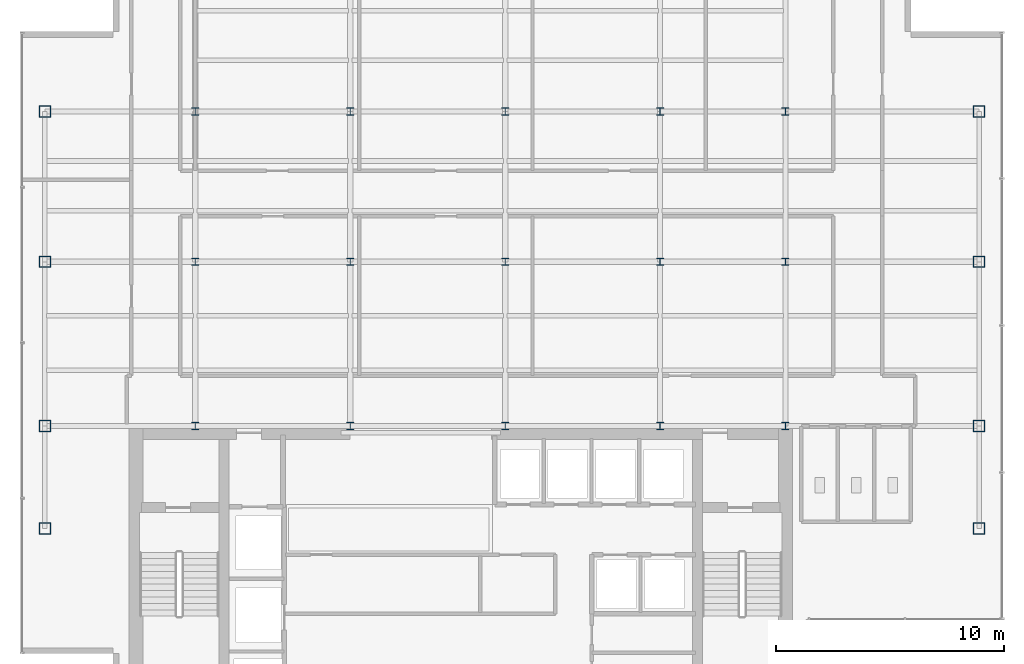
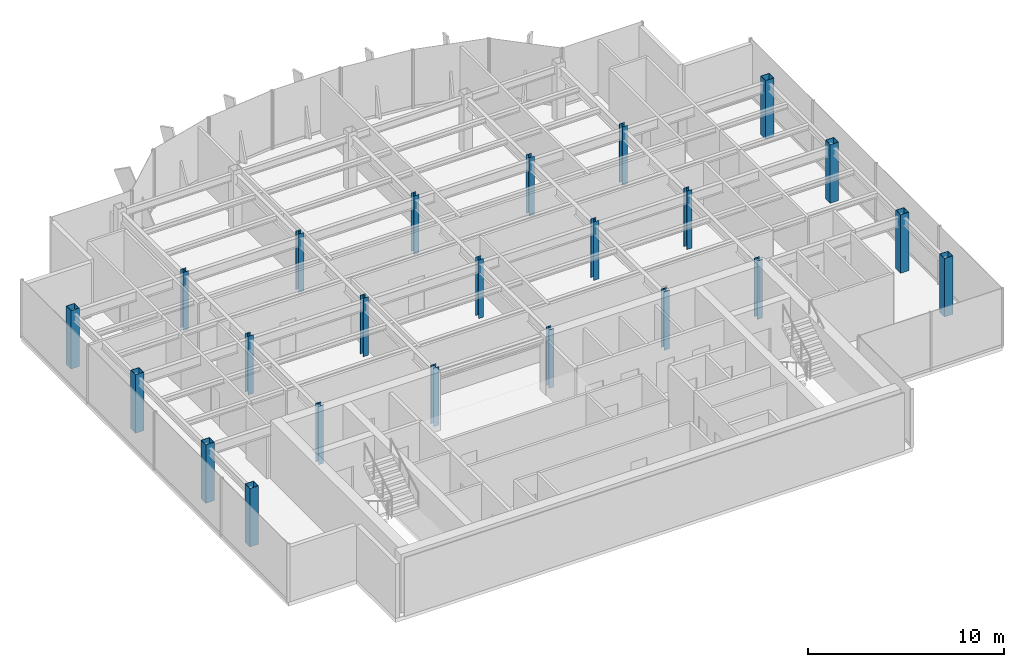
# One storey, part 1 of 22: 23 columns.
"""IFC4 building model written with IfcOpenShell, lengths in metres."""

from ifc_helpers import new_model, si_unit, derived_unit, direction, frame, origin, origin_2d, place, context, subcontext, project, spatial, hollow_rectangle, i_section, extrude, source, transform, mapped, material, material_profile, profile_set, type_object, element, save


model = new_model("IFC4")

# Units and contexts
model_context = context("Model", 3, precision=1e-05, world=origin(), true_north=direction((0.0, 1.0)))
body_context = subcontext(model_context, "Body", "Model", "MODEL_VIEW")
ifc_project = project(units=[si_unit("LENGTHUNIT", "METRE"), si_unit("AREAUNIT", "SQUARE_METRE"), si_unit("VOLUMEUNIT", "CUBIC_METRE"), si_unit("PLANEANGLEUNIT", "RADIAN"), si_unit("MASSUNIT", "GRAM", prefix="KILO"), derived_unit("THERMALTRANSMITTANCEUNIT", [(si_unit("POWERUNIT", "WATT"), 1), (si_unit("LENGTHUNIT", "METRE"), -2), (si_unit("THERMODYNAMICTEMPERATUREUNIT", "KELVIN"), -1)])], contexts=[model_context])

# Site, building, storey
site_placement = place(None, origin())
site = spatial("IfcSite", under=ifc_project, at=site_placement, CompositionType="ELEMENT")
building_placement = place(site_placement, origin())
building = spatial("IfcBuilding", under=site, at=building_placement, Name="Skarnbrae Concourse Arena and Tower", CompositionType="ELEMENT")
storey_placement = place(building_placement, frame((0.0, 0.0, 273.39990234375)))
storey = spatial("IfcBuildingStorey", under=building, at=storey_placement, Name="L71", CompositionType="ELEMENT", Elevation=273.39990234375)

# Columns
ifc_material = material(Name="Steel CSA G40.21 350W", Category="steel")
ifc_material_profile_1 = material_profile(ifc_material, hollow_rectangle(XDim=0.5, YDim=0.5, WallThickness=0.02197265625, at=origin_2d()), Name="HSS500X500X22.0")
ifc_profile_set_1 = profile_set([ifc_material_profile_1], Name="Steel CSA G40.21 350W")
column_type_1 = type_object("IfcColumnType", Name="COL-TUBE-HSS500", PredefinedType="COLUMN", material=ifc_profile_set_1)
shared_shape_1 = source(origin(), body_context, "Body", "SweptSolid", [
    extrude(hollow_rectangle(XDim=0.5, YDim=0.5, WallThickness=0.02197265625, at=origin_2d()), origin(), (0.0, 0.0, 1.0), 3.650146484375),
])
for number, where, z_axis, x_axis, name in (
    (1, (1.0, 9.5, 0.0), (0.0, 0.0, 1.0), (1.0, 0.0, 0.0), "L71 Tower column PC_01_01"),
    (2, (1.0, 14.0, 0.0), (0.0, 0.0, 1.0), (1.0, 0.0, 0.0), "L71 Tower column PC_01_02"),
    (3, (1.0, 21.199951171875, 0.0), (0.0, 0.0, 1.0), (1.0, 0.0, 0.0), "L71 Tower column PC_01_03"),
    (4, (1.0, 27.800048828125, 0.0), (0.0, 0.0, 1.0), (1.0, 0.0, 0.0), "L71 Tower column PC_01_04"),
    (5, (42.0, 9.5, 0.0), (0.0, 0.0, 1.0), (1.0, 0.0, 0.0), "L71 Tower column PC_07_01"),
    (6, (42.0, 14.0, 0.0), (0.0, 0.0, 1.0), (1.0, 0.0, 0.0), "L71 Tower column PC_07_02"),
    (7, (42.0, 21.199951171875, 0.0), (0.0, 0.0, 1.0), (1.0, 0.0, 0.0), "L71 Tower column PC_07_03"),
    (8, (42.0, 27.800048828125, 0.0), (0.0, 0.0, 1.0), (1.0, 0.0, 0.0), "L71 Tower column PC_07_04"),
):
    element("IfcColumn", number, at=place(storey_placement, frame(where, z_axis=z_axis, x_axis=x_axis)), inside=storey, type_object=column_type_1, Name=name, PredefinedType="COLUMN", context=body_context, shape_type="MappedRepresentation", body=[
        mapped(shared_shape_1, transform((0.0, 0.0, 0.0))),
    ])
ifc_material_profile_2 = material_profile(ifc_material, i_section(OverallWidth=0.30908203125, OverallDepth=0.322998046875, WebThickness=0.013916015625, FlangeThickness=0.02294921875, at=origin_2d()), Name="W310X143")
ifc_profile_set_2 = profile_set([ifc_material_profile_2], Name="Steel CSA G40.21 350W")
column_type_2 = type_object("IfcColumnType", Name="COL-INT-W310X143", PredefinedType="COLUMN", material=ifc_profile_set_2)
shared_shape_2 = source(origin(), body_context, "Body", "SweptSolid", [
    extrude(i_section(OverallWidth=0.30908203125, OverallDepth=0.322998046875, WebThickness=0.013916015625, FlangeThickness=0.02294921875, at=origin_2d()), origin(), (0.0, 0.0, 1.0), 3.650146484375),
])
for number, where, z_axis, x_axis, name in (
    (9, (7.60009765625, 14.0, 0.0), (0.0, 0.0, 1.0), (1.0, 0.0, 0.0), "L71 Tower column IC_02_02"),
    (10, (7.60009765625, 21.199951171875, 0.0), (0.0, 0.0, 1.0), (1.0, 0.0, 0.0), "L71 Tower column IC_02_03"),
    (11, (7.60009765625, 27.800048828125, 0.0), (0.0, 0.0, 1.0), (1.0, 0.0, 0.0), "L71 Tower column IC_02_04"),
    (12, (14.39990234375, 14.0, 0.0), (0.0, 0.0, 1.0), (1.0, 0.0, 0.0), "L71 Tower column IC_03_02"),
    (13, (14.39990234375, 21.199951171875, 0.0), (0.0, 0.0, 1.0), (1.0, 0.0, 0.0), "L71 Tower column IC_03_03"),
    (14, (14.39990234375, 27.800048828125, 0.0), (0.0, 0.0, 1.0), (1.0, 0.0, 0.0), "L71 Tower column IC_03_04"),
    (15, (21.199951171875, 14.0, 0.0), (0.0, 0.0, 1.0), (1.0, 0.0, 0.0), "L71 Tower column IC_04_02"),
    (16, (21.199951171875, 21.199951171875, 0.0), (0.0, 0.0, 1.0), (1.0, 0.0, 0.0), "L71 Tower column IC_04_03"),
    (17, (21.199951171875, 27.800048828125, 0.0), (0.0, 0.0, 1.0), (1.0, 0.0, 0.0), "L71 Tower column IC_04_04"),
    (18, (28.0, 14.0, 0.0), (0.0, 0.0, 1.0), (1.0, 0.0, 0.0), "L71 Tower column IC_05_02"),
    (19, (28.0, 21.199951171875, 0.0), (0.0, 0.0, 1.0), (1.0, 0.0, 0.0), "L71 Tower column IC_05_03"),
    (20, (28.0, 27.800048828125, 0.0), (0.0, 0.0, 1.0), (1.0, 0.0, 0.0), "L71 Tower column IC_05_04"),
    (21, (33.5, 14.0, 0.0), (0.0, 0.0, 1.0), (1.0, 0.0, 0.0), "L71 Tower column IC_06_02"),
    (22, (33.5, 21.199951171875, 0.0), (0.0, 0.0, 1.0), (1.0, 0.0, 0.0), "L71 Tower column IC_06_03"),
    (23, (33.5, 27.800048828125, 0.0), (0.0, 0.0, 1.0), (1.0, 0.0, 0.0), "L71 Tower column IC_06_04"),
):
    element("IfcColumn", number, at=place(storey_placement, frame(where, z_axis=z_axis, x_axis=x_axis)), inside=storey, type_object=column_type_2, Name=name, PredefinedType="COLUMN", context=body_context, shape_type="MappedRepresentation", body=[
        mapped(shared_shape_2, transform((0.0, 0.0, 0.0))),
    ])

save(model, "model.ifc")
